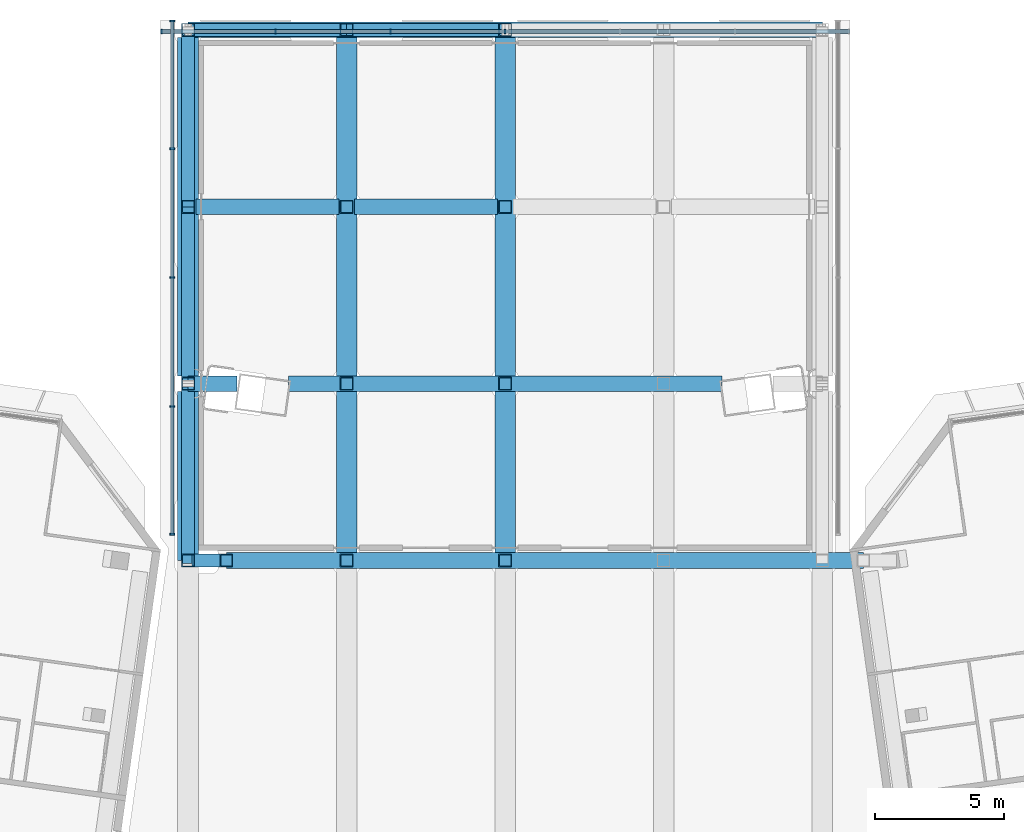
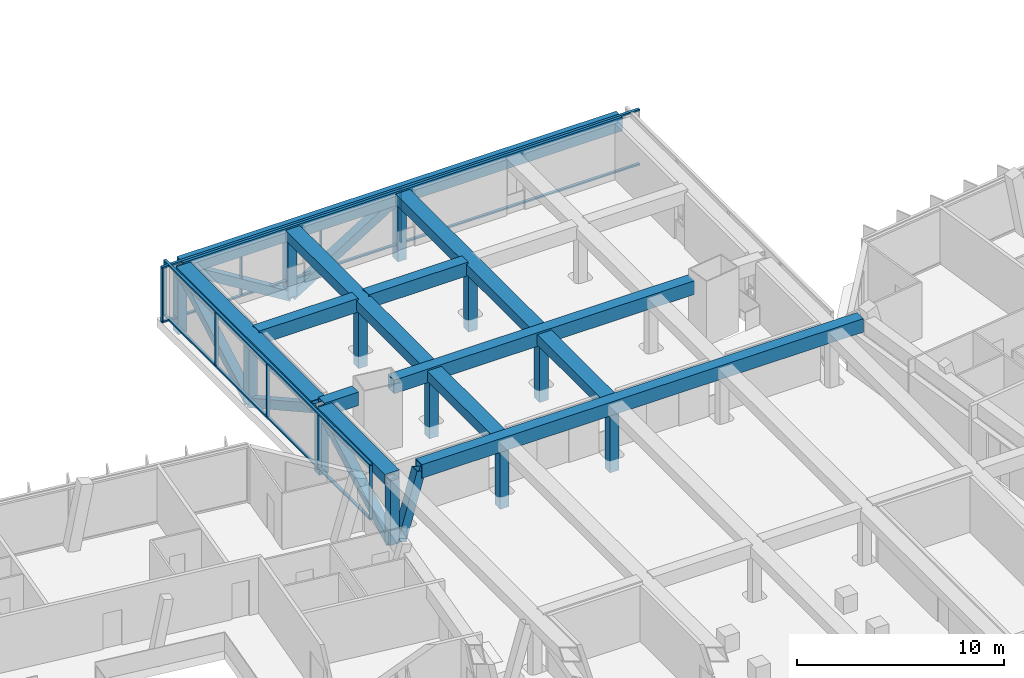
# One storey, part 6 of 28: 43 members, 2 elements without a shape of their own.
"""IFC4 building model written with IfcOpenShell, lengths in metres."""

from ifc_helpers import new_model, si_unit, direction, frame, origin, origin_2d, place, context, subcontext, project, spatial, rectangle, hollow_rectangle, extrude, material, material_profile, profile_set, type_object, element, aggregate, save


model = new_model("IFC4")

# Units and contexts
model_context = context("Model", 3, precision=1e-05, world=origin(), true_north=direction((0.0, 1.0)))
body_context = subcontext(model_context, "Body", "Model", "MODEL_VIEW")
ifc_project = project(units=[si_unit("LENGTHUNIT", "METRE"), si_unit("AREAUNIT", "SQUARE_METRE"), si_unit("VOLUMEUNIT", "CUBIC_METRE"), si_unit("PLANEANGLEUNIT", "RADIAN"), si_unit("MASSUNIT", "GRAM", prefix="KILO")], contexts=[model_context])

# Site, building, storey
site_placement = place(None, origin())
site = spatial("IfcSite", under=ifc_project, at=site_placement, CompositionType="ELEMENT")
building_placement = place(site_placement, origin())
building = spatial("IfcBuilding", under=site, at=building_placement, Name="Mirante Cascada Hotel Towers", CompositionType="ELEMENT")
storey_placement = place(building_placement, frame((0.0, 0.0, 262.2)))
storey = spatial("IfcBuildingStorey", under=building, at=storey_placement, Name="L63", CompositionType="ELEMENT", Elevation=262.2)

# Members
ifc_material_1 = material(Name="Steel ASTM A572 Gr 50", Category="steel")
ifc_material_profile_1 = material_profile(ifc_material_1, hollow_rectangle(XDim=0.6, YDim=0.8, WallThickness=0.04, at=origin_2d()), Name="Box chord 800x600x40 ASTM A572 Gr 50")
ifc_profile_set_1 = profile_set([ifc_material_profile_1], Name="Steel ASTM A572 Gr 50")
member_type_1 = type_object("IfcMemberType", Name="Box chord 800x600x40 ASTM A572 Gr 50", PredefinedType="CHORD", material=ifc_profile_set_1)
member_1_placement = place(storey_placement, frame((-12.2514, 9.9142, 2.9), z_axis=(0.0, 1.0, 0.0), x_axis=(0.0, 0.0, 1.0)))
element("IfcMember", 1, at=member_1_placement, inside=storey, type_object=member_type_1, Name="dchord sky park L64 3", PredefinedType="CHORD", context=body_context, shape_type="SweptSolid", body=[
    extrude(hollow_rectangle(XDim=0.6, YDim=0.8, WallThickness=0.04, at=origin_2d()), origin(), (0.0, 0.0, 1.0), 6.5333),
])
member_2_placement = place(storey_placement, frame((-12.2514, 17.0475, 2.9), z_axis=(0.0, 1.0, 0.0), x_axis=(0.0, 0.0, 1.0)))
element("IfcMember", 2, at=member_2_placement, inside=storey, type_object=member_type_1, Name="dchord sky park L64 4", PredefinedType="CHORD", context=body_context, shape_type="SweptSolid", body=[
    extrude(hollow_rectangle(XDim=0.6, YDim=0.8, WallThickness=0.04, at=origin_2d()), origin(), (0.0, 0.0, 1.0), 13.0667),
])
member_3_placement = place(storey_placement, frame((-6.1257, 10.2142, 2.9), z_axis=(0.0, 1.0, 0.0), x_axis=(0.0, 0.0, 1.0)))
element("IfcMember", 3, at=member_3_placement, inside=storey, type_object=member_type_1, Name="dchord sky park L64 7", PredefinedType="CHORD", context=body_context, shape_type="SweptSolid", body=[
    extrude(hollow_rectangle(XDim=0.6, YDim=0.8, WallThickness=0.04, at=origin_2d()), origin(), (0.0, 0.0, 1.0), 6.2333),
])
member_4_placement = place(storey_placement, frame((-6.1257, 17.0475, 2.9), z_axis=(0.0, 1.0, 0.0), x_axis=(0.0, 0.0, 1.0)))
element("IfcMember", 4, at=member_4_placement, inside=storey, type_object=member_type_1, Name="dchord sky park L64 8", PredefinedType="CHORD", context=body_context, shape_type="SweptSolid", body=[
    extrude(hollow_rectangle(XDim=0.6, YDim=0.8, WallThickness=0.04, at=origin_2d()), origin(), (0.0, 0.0, 1.0), 13.0667),
])
member_5_placement = place(storey_placement, frame((0.0, 10.2142, 2.9), z_axis=(0.0, 1.0, 0.0), x_axis=(0.0, 0.0, 1.0)))
element("IfcMember", 5, at=member_5_placement, inside=storey, type_object=member_type_1, Name="dchord sky park L64 11", PredefinedType="CHORD", context=body_context, shape_type="SweptSolid", body=[
    extrude(hollow_rectangle(XDim=0.6, YDim=0.8, WallThickness=0.04, at=origin_2d()), origin(), (0.0, 0.0, 1.0), 6.2333),
])
member_6_placement = place(storey_placement, frame((0.0, 17.0475, 2.9), z_axis=(0.0, 1.0, 0.0), x_axis=(0.0, 0.0, 1.0)))
element("IfcMember", 6, at=member_6_placement, inside=storey, type_object=member_type_1, Name="dchord sky park L64 12", PredefinedType="CHORD", context=body_context, shape_type="SweptSolid", body=[
    extrude(hollow_rectangle(XDim=0.6, YDim=0.8, WallThickness=0.04, at=origin_2d()), origin(), (0.0, 0.0, 1.0), 13.0667),
])
member_7_placement = place(storey_placement, frame((-10.7695, 9.9142, 2.9), z_axis=(1.0, 0.0, 0.0), x_axis=(0.0, 1.0, 0.0)))
element("IfcMember", 7, at=member_7_placement, inside=storey, type_object=member_type_1, Name="dchord sky park L64 27", PredefinedType="CHORD", context=body_context, shape_type="SweptSolid", body=[
    extrude(hollow_rectangle(XDim=0.6, YDim=0.8, WallThickness=0.04, at=origin_2d()), origin(), (0.0, 0.0, 1.0), 24.6116),
])
member_8_placement = place(storey_placement, frame((-8.3785, 16.7475, 2.9), z_axis=(1.0, 0.0, 0.0), x_axis=(0.0, 1.0, 0.0)))
element("IfcMember", 8, at=member_8_placement, inside=storey, type_object=member_type_1, Name="dchord sky park L64 29", PredefinedType="CHORD", context=body_context, shape_type="SweptSolid", body=[
    extrude(hollow_rectangle(XDim=0.6, YDim=0.8, WallThickness=0.04, at=origin_2d()), origin(), (0.0, 0.0, 1.0), 16.757),
])
member_9_placement = place(storey_placement, frame((-12.2514, 16.7475, 2.9), z_axis=(1.0, 0.0, 0.0), x_axis=(0.0, 1.0, 0.0)))
element("IfcMember", 9, at=member_9_placement, inside=storey, type_object=member_type_1, Name="dchord sky park L64 30", PredefinedType="CHORD", context=body_context, shape_type="SweptSolid", body=[
    extrude(hollow_rectangle(XDim=0.6, YDim=0.8, WallThickness=0.04, at=origin_2d()), origin(), (0.0, 0.0, 1.0), 1.8975),
])
for number, where, z_axis, x_axis, name in (
    (10, (-11.9514, 23.5808, 2.9), (1.0, 0.0, 0.0), (0.0, 1.0, 0.0), "dchord sky park L64 32"),
    (11, (-5.8257, 23.5808, 2.9), (1.0, 0.0, 0.0), (0.0, 1.0, 0.0), "dchord sky park L64 33"),
):
    element("IfcMember", number, at=place(storey_placement, frame(where, z_axis=z_axis, x_axis=x_axis)), inside=storey, type_object=member_type_1, Name=name, PredefinedType="CHORD", context=body_context, shape_type="SweptSolid", body=[
        extrude(hollow_rectangle(XDim=0.6, YDim=0.8, WallThickness=0.04, at=origin_2d()), origin(), (0.0, 0.0, 1.0), 5.5257),
    ])
member_10_placement = place(storey_placement, frame((-12.2514, 30.4142, 2.9), z_axis=(1.0, 0.0, 0.0), x_axis=(0.0, 1.0, 0.0)))
element("IfcMember", 12, at=member_10_placement, inside=storey, type_object=member_type_1, Name="dchord sky park L64 36", PredefinedType="CHORD", context=body_context, shape_type="SweptSolid", body=[
    extrude(hollow_rectangle(XDim=0.6, YDim=0.8, WallThickness=0.04, at=origin_2d()), origin(), (0.0, 0.0, 1.0), 24.5028),
])
ifc_material_2 = material(Name="Steel ASTM A572 Gr 50", Category="steel")
ifc_material_profile_2 = material_profile(ifc_material_2, hollow_rectangle(XDim=0.5, YDim=0.5, WallThickness=0.03, at=origin_2d()), Name="Box diagonal 500x500x30 ASTM A572 Gr 50")
ifc_profile_set_2 = profile_set([ifc_material_profile_2], Name="Steel ASTM A572 Gr 50")
member_type_2 = type_object("IfcMemberType", Name="Box diagonal 500x500x30 ASTM A572 Gr 50", PredefinedType="BRACE", material=ifc_profile_set_2)
for number, where, z_axis, x_axis, name in (
    (13, (-12.2514, 9.9142, -0.9), (0.0, 0.8739551, 0.4860067), (-1.0, 0.0, 0.0), "ddiag sky park L63 3"),
    (14, (-12.2514, 23.5808, -0.9), (0.0, -0.8739551, 0.4860067), (1.0, 0.0, 0.0), "ddiag sky park L63 4"),
):
    element("IfcMember", number, at=place(storey_placement, frame(where, z_axis=z_axis, x_axis=x_axis)), inside=storey, type_object=member_type_2, Name=name, PredefinedType="BRACE", context=body_context, shape_type="SweptSolid", body=[
        extrude(hollow_rectangle(XDim=0.5, YDim=0.5, WallThickness=0.03, at=origin_2d()), origin(), (0.0, 0.0, 1.0), 7.8188),
    ])
member_11_placement = place(storey_placement, frame((-12.2514, 23.5808, -0.9), z_axis=(0.0, 0.8739581, 0.4860012), x_axis=(-1.0, 0.0, 0.0)))
element("IfcMember", 15, at=member_11_placement, inside=storey, type_object=member_type_2, Name="ddiag sky park L63 5", PredefinedType="BRACE", context=body_context, shape_type="SweptSolid", body=[
    extrude(hollow_rectangle(XDim=0.5, YDim=0.5, WallThickness=0.03, at=origin_2d()), origin(), (0.0, 0.0, 1.0), 7.8189),
])
for number, where, z_axis, x_axis, name in (
    (16, (-6.1257, 30.4142, -0.9), (-0.8497743, 0.0, 0.5271467), (0.0, -1.0, 0.0), "ddiag sky park L63 11"),
    (17, (-6.1257, 30.4142, -0.9), (0.8497743, 0.0, 0.5271467), (0.0, 1.0, 0.0), "ddiag sky park L63 12"),
):
    element("IfcMember", number, at=place(storey_placement, frame(where, z_axis=z_axis, x_axis=x_axis)), inside=storey, type_object=member_type_2, Name=name, PredefinedType="BRACE", context=body_context, shape_type="SweptSolid", body=[
        extrude(hollow_rectangle(XDim=0.5, YDim=0.5, WallThickness=0.03, at=origin_2d()), origin(), (0.0, 0.0, 1.0), 7.2086),
    ])
ifc_material_3 = material(Name="Steel ASTM A572 Gr 50", Category="steel")
ifc_material_profile_3 = material_profile(ifc_material_3, hollow_rectangle(XDim=0.5, YDim=0.5, WallThickness=0.03, at=origin_2d()), Name="Box post 500x500x30 ASTM A572 Gr 50")
ifc_profile_set_3 = profile_set([ifc_material_profile_3], Name="Steel ASTM A572 Gr 50")
member_type_3 = type_object("IfcMemberType", Name="Box post 500x500x30 ASTM A572 Gr 50", PredefinedType="POST", material=ifc_profile_set_3)
for number, where, z_axis, x_axis, name in (
    (18, (-12.2514, 9.9142, -0.9), (0.0, 0.0, 1.0), (1.0, 0.0, 0.0), "dpost sky park L63 4"),
    (19, (-12.2514, 16.7475, -0.9), (0.0, 0.0, 1.0), (1.0, 0.0, 0.0), "dpost sky park L63 5"),
    (20, (-12.2514, 23.5808, -0.9), (0.0, 0.0, 1.0), (1.0, 0.0, 0.0), "dpost sky park L63 6"),
    (21, (-12.2514, 30.4142, -0.9), (0.0, 0.0, 1.0), (1.0, 0.0, 0.0), "dpost sky park L63 7"),
    (22, (-6.1257, 9.9142, -0.9), (0.0, 0.0, 1.0), (1.0, 0.0, 0.0), "dpost sky park L63 11"),
    (23, (-6.1257, 16.7475, -0.9), (0.0, 0.0, 1.0), (1.0, 0.0, 0.0), "dpost sky park L63 12"),
    (24, (-6.1257, 23.5808, -0.9), (0.0, 0.0, 1.0), (1.0, 0.0, 0.0), "dpost sky park L63 13"),
    (25, (-6.1257, 30.4142, -0.9), (0.0, 0.0, 1.0), (1.0, 0.0, 0.0), "dpost sky park L63 14"),
    (26, (0.0, 9.9142, -0.9), (0.0, 0.0, 1.0), (1.0, 0.0, 0.0), "dpost sky park L63 18"),
    (27, (0.0, 16.7475, -0.9), (0.0, 0.0, 1.0), (1.0, 0.0, 0.0), "dpost sky park L63 19"),
    (28, (0.0, 23.5808, -0.9), (0.0, 0.0, 1.0), (1.0, 0.0, 0.0), "dpost sky park L63 20"),
    (29, (0.0, 30.4142, -0.9), (0.0, 0.0, 1.0), (1.0, 0.0, 0.0), "dpost sky park L63 21"),
):
    element("IfcMember", number, at=place(storey_placement, frame(where, z_axis=z_axis, x_axis=x_axis)), inside=storey, type_object=member_type_3, Name=name, PredefinedType="POST", context=body_context, shape_type="SweptSolid", body=[
        extrude(hollow_rectangle(XDim=0.5, YDim=0.5, WallThickness=0.03, at=origin_2d()), origin(), (0.0, 0.0, 1.0), 3.8),
    ])
member_12_placement = place(storey_placement, frame((-11.8533, 9.9142, -0.9), z_axis=(0.2742732, 0.0, 0.9616518), x_axis=(0.0, 1.0, 0.0)))
element("IfcMember", 30, at=member_12_placement, inside=storey, type_object=member_type_3, Name="dpost sky park L63 40", PredefinedType="POST", context=body_context, shape_type="SweptSolid", body=[
    extrude(hollow_rectangle(XDim=0.5, YDim=0.5, WallThickness=0.03, at=origin_2d()), origin(), (0.0, 0.0, 1.0), 3.9515),
])

# Curtain wall, members
ifc_material_4 = material(Name="Aluminium mullion and transom frame with clear laminated glass", Category="aluminium")
curtain_wall_type = type_object("IfcCurtainWallType", Name="Sky park deck curtain wall ECW5", PredefinedType="NOTDEFINED", material=ifc_material_4)
curtain_wall_1_placement = place(storey_placement, origin())
curtain_wall_1 = element("IfcCurtainWall", 31, at=curtain_wall_1_placement, inside=storey, type_object=curtain_wall_type, Name="Sky park glazing L63 run 3", PredefinedType="NOTDEFINED")
ifc_material_5 = material(Name="Anodised aluminium extrusion", Category="aluminium")
ifc_material_profile_4 = material_profile(ifc_material_5, rectangle(XDim=0.18, YDim=0.06, at=origin_2d()), Name="ECW5 MULLION 60x180")
ifc_profile_set_4 = profile_set([ifc_material_profile_4], Name="Anodised aluminium extrusion")
member_type_4 = type_object("IfcMemberType", Name="ECW5 mullion 60x180", PredefinedType="MULLION", material=ifc_profile_set_4)
member_13_placement = place(storey_placement, frame((0.0, 30.3475, 0.09), z_axis=(0.0, 0.0, 1.0), x_axis=(0.0, -1.0, 0.0)))
member_13 = element("IfcMember", 32, at=member_13_placement, type_object=member_type_4, Name="ECW5 mullion 4", PredefinedType="MULLION", context=body_context, shape_type="SweptSolid", body=[
    extrude(rectangle(XDim=0.18, YDim=0.06, at=origin_2d()), origin(), (0.0, 0.0, 1.0), 3.12),
])
member_14_placement = place(storey_placement, frame((-4.4381, 30.3475, 0.09), z_axis=(0.0, 0.0, 1.0), x_axis=(0.0, -1.0, 0.0)))
member_14 = element("IfcMember", 33, at=member_14_placement, type_object=member_type_4, Name="ECW5 mullion 5", PredefinedType="MULLION", context=body_context, shape_type="SweptSolid", body=[
    extrude(rectangle(XDim=0.18, YDim=0.06, at=origin_2d()), origin(), (0.0, 0.0, 1.0), 3.12),
])
member_15_placement = place(storey_placement, frame((-8.8761, 30.3475, 0.09), z_axis=(0.0, 0.0, 1.0), x_axis=(0.0, -1.0, 0.0)))
member_15 = element("IfcMember", 34, at=member_15_placement, type_object=member_type_4, Name="ECW5 mullion 6", PredefinedType="MULLION", context=body_context, shape_type="SweptSolid", body=[
    extrude(rectangle(XDim=0.18, YDim=0.06, at=origin_2d()), origin(), (0.0, 0.0, 1.0), 3.12),
])
member_16_placement = place(storey_placement, frame((-13.2842, 30.3475, 0.09), z_axis=(0.0, 0.0, 1.0), x_axis=(0.0, -1.0, 0.0)))
member_16 = element("IfcMember", 35, at=member_16_placement, type_object=member_type_4, Name="ECW5 mullion 7", PredefinedType="MULLION", context=body_context, shape_type="SweptSolid", body=[
    extrude(rectangle(XDim=0.18, YDim=0.06, at=origin_2d()), origin(), (0.0, 0.0, 1.0), 3.12),
])

curtain_wall_2_placement = place(storey_placement, origin())
curtain_wall_2 = element("IfcCurtainWall", 36, at=curtain_wall_2_placement, inside=storey, type_object=curtain_wall_type, Name="Sky park glazing L63 run 4", PredefinedType="NOTDEFINED")
member_17_placement = place(storey_placement, frame((-12.8642, 30.7675, 0.09), z_axis=(0.0, 0.0, 1.0), x_axis=(1.0, 0.0, 0.0)))
member_17 = element("IfcMember", 37, at=member_17_placement, type_object=member_type_4, Name="ECW5 mullion 1", PredefinedType="MULLION", context=body_context, shape_type="SweptSolid", body=[
    extrude(rectangle(XDim=0.18, YDim=0.06, at=origin_2d()), origin(), (0.0, 0.0, 1.0), 3.12),
])
member_18_placement = place(storey_placement, frame((-12.8642, 25.8225, 0.09), z_axis=(0.0, 0.0, 1.0), x_axis=(1.0, 0.0, 0.0)))
member_18 = element("IfcMember", 38, at=member_18_placement, type_object=member_type_4, Name="ECW5 mullion 2", PredefinedType="MULLION", context=body_context, shape_type="SweptSolid", body=[
    extrude(rectangle(XDim=0.18, YDim=0.06, at=origin_2d()), origin(), (0.0, 0.0, 1.0), 3.12),
])
member_19_placement = place(storey_placement, frame((-12.8642, 20.8475, 0.09), z_axis=(0.0, 0.0, 1.0), x_axis=(1.0, 0.0, 0.0)))
member_19 = element("IfcMember", 39, at=member_19_placement, type_object=member_type_4, Name="ECW5 mullion 3", PredefinedType="MULLION", context=body_context, shape_type="SweptSolid", body=[
    extrude(rectangle(XDim=0.18, YDim=0.06, at=origin_2d()), origin(), (0.0, 0.0, 1.0), 3.12),
])
member_20_placement = place(storey_placement, frame((-12.8642, 15.8725, 0.09), z_axis=(0.0, 0.0, 1.0), x_axis=(1.0, 0.0, 0.0)))
member_20 = element("IfcMember", 40, at=member_20_placement, type_object=member_type_4, Name="ECW5 mullion 4", PredefinedType="MULLION", context=body_context, shape_type="SweptSolid", body=[
    extrude(rectangle(XDim=0.18, YDim=0.06, at=origin_2d()), origin(), (0.0, 0.0, 1.0), 3.12),
])
member_21_placement = place(storey_placement, frame((-12.8642, 10.9275, 0.09), z_axis=(0.0, 0.0, 1.0), x_axis=(1.0, 0.0, 0.0)))
member_21 = element("IfcMember", 41, at=member_21_placement, type_object=member_type_4, Name="ECW5 mullion 5", PredefinedType="MULLION", context=body_context, shape_type="SweptSolid", body=[
    extrude(rectangle(XDim=0.18, YDim=0.06, at=origin_2d()), origin(), (0.0, 0.0, 1.0), 3.12),
])

# Member
ifc_material_6 = material(Name="Anodised aluminium extrusion", Category="aluminium")
ifc_material_profile_5 = material_profile(ifc_material_6, rectangle(XDim=0.15, YDim=0.09, at=origin_2d()), Name="ECW5 TRANSOM 90x150")
ifc_profile_set_5 = profile_set([ifc_material_profile_5], Name="Anodised aluminium extrusion")
member_type_5 = type_object("IfcMemberType", Name="ECW5 transom 90x150", PredefinedType="USERDEFINED", material=ifc_profile_set_5)
member_22_placement = place(storey_placement, frame((13.3142, 30.3475, 0.045), z_axis=(-1.0, 0.0, 0.0), x_axis=(0.0, -1.0, 0.0)))
member_22 = element("IfcMember", 42, at=member_22_placement, type_object=member_type_5, Name="ECW5 sill transom", ObjectType="TRANSOM", PredefinedType="USERDEFINED", context=body_context, shape_type="SweptSolid", body=[
    extrude(rectangle(XDim=0.15, YDim=0.09, at=origin_2d()), origin(), (0.0, 0.0, 1.0), 26.6284),
])

member_23_placement = place(storey_placement, frame((13.3142, 30.3475, 3.255), z_axis=(-1.0, 0.0, 0.0), x_axis=(0.0, -1.0, 0.0)))
member_23 = element("IfcMember", 43, at=member_23_placement, type_object=member_type_5, Name="ECW5 head transom", ObjectType="TRANSOM", PredefinedType="USERDEFINED", context=body_context, shape_type="SweptSolid", body=[
    extrude(rectangle(XDim=0.15, YDim=0.09, at=origin_2d()), origin(), (0.0, 0.0, 1.0), 26.6284),
])

aggregate(curtain_wall_1, [member_22, member_23, member_13, member_14, member_15, member_16])

member_24_placement = place(storey_placement, frame((-12.8642, 30.7975, 0.045), z_axis=(0.0, -1.0, 0.0), x_axis=(1.0, 0.0, 0.0)))
member_24 = element("IfcMember", 44, at=member_24_placement, type_object=member_type_5, Name="ECW5 sill transom", ObjectType="TRANSOM", PredefinedType="USERDEFINED", context=body_context, shape_type="SweptSolid", body=[
    extrude(rectangle(XDim=0.15, YDim=0.09, at=origin_2d()), origin(), (0.0, 0.0, 1.0), 19.9),
])

member_25_placement = place(storey_placement, frame((-12.8642, 30.7975, 3.255), z_axis=(0.0, -1.0, 0.0), x_axis=(1.0, 0.0, 0.0)))
member_25 = element("IfcMember", 45, at=member_25_placement, type_object=member_type_5, Name="ECW5 head transom", ObjectType="TRANSOM", PredefinedType="USERDEFINED", context=body_context, shape_type="SweptSolid", body=[
    extrude(rectangle(XDim=0.15, YDim=0.09, at=origin_2d()), origin(), (0.0, 0.0, 1.0), 19.9),
])

aggregate(curtain_wall_2, [member_24, member_25, member_17, member_18, member_19, member_20, member_21])

save(model, "model.ifc")
